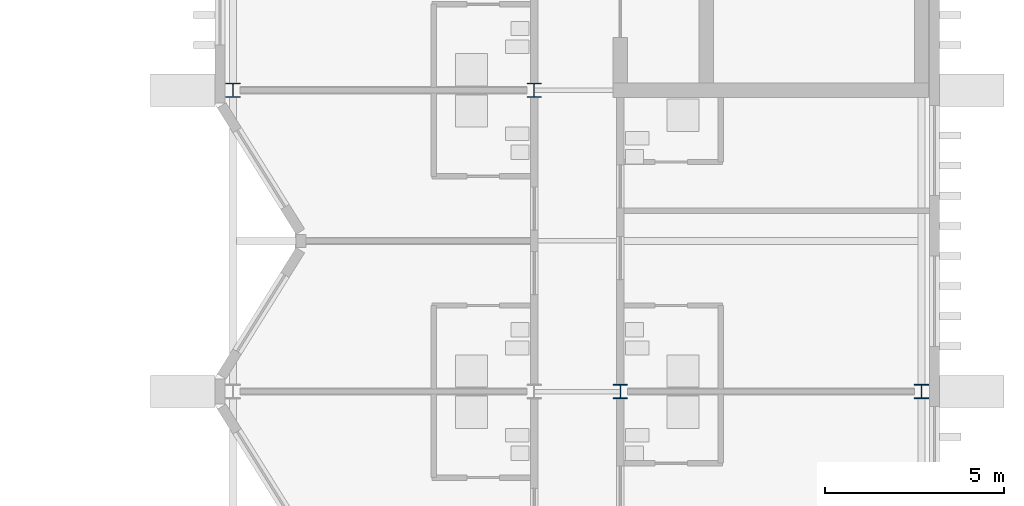
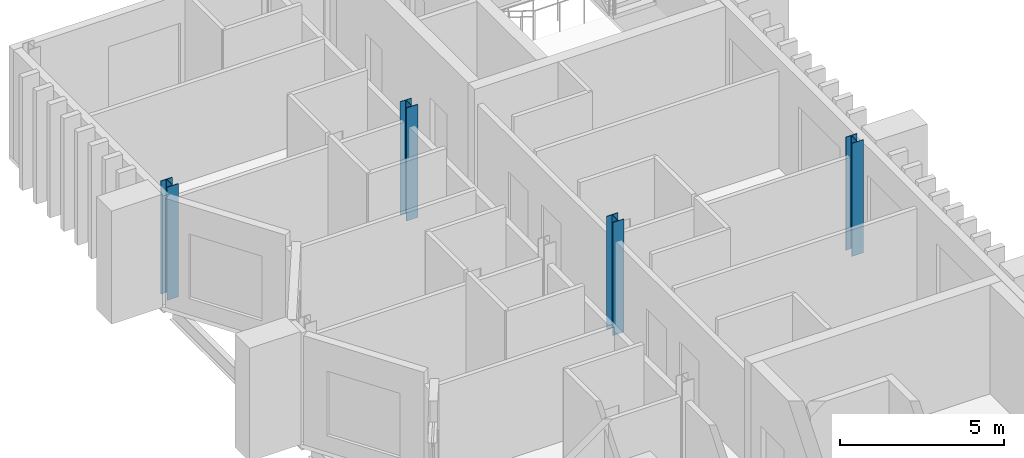
# One storey, part 4 of 17: 4 columns.
"""IFC4 building model written with IfcOpenShell, lengths in metres."""

from ifc_helpers import new_model, si_unit, direction, frame, origin, origin_2d, place, context, subcontext, project, spatial, i_section, extrude, material, material_profile, profile_set, type_object, element, save


model = new_model("IFC4")

# Units and contexts
model_context = context("Model", 3, precision=1e-05, world=origin(), true_north=direction((0.0, 1.0)))
body_context = subcontext(model_context, "Body", "Model", "MODEL_VIEW")
ifc_project = project(units=[si_unit("LENGTHUNIT", "METRE"), si_unit("AREAUNIT", "SQUARE_METRE"), si_unit("VOLUMEUNIT", "CUBIC_METRE"), si_unit("PLANEANGLEUNIT", "RADIAN"), si_unit("MASSUNIT", "GRAM", prefix="KILO")], contexts=[model_context])

# Site, building, storey
site_placement = place(None, origin())
site = spatial("IfcSite", under=ifc_project, at=site_placement, CompositionType="ELEMENT")
building_placement = place(site_placement, origin())
building = spatial("IfcBuilding", under=site, at=building_placement, Name="Cresset Court Congress Hotel", CompositionType="ELEMENT")
storey_placement = place(building_placement, frame((0.0, 0.0, 31.199951171875)))
storey = spatial("IfcBuildingStorey", under=building, at=storey_placement, Name="L07", CompositionType="ELEMENT", Elevation=31.199951171875)

# Columns
ifc_material = material(Name="Structural steel Q355B", Category="steel")
ifc_material_profile = material_profile(ifc_material, i_section(OverallWidth=0.39990234375, OverallDepth=0.39990234375, WebThickness=0.012939453125, FlangeThickness=0.02099609375, FilletRadius=0.02197265625, at=origin_2d()), Name="HW400x400x13x21")
ifc_profile_set = profile_set([ifc_material_profile], Name="Structural steel Q355B")
column_type = type_object("IfcColumnType", Name="Steel column HW400x400x13x21", PredefinedType="COLUMN", material=ifc_profile_set)
for number, where, z_axis, x_axis, name in (
    (1, (157.199951171875, 58.800048828125, 0.0), (0.0, 0.0, 1.0), (1.0, 0.0, 0.0), "Column L07 8-20"),
    (2, (165.60009765625, 58.800048828125, 0.0), (0.0, 0.0, 1.0), (1.0, 0.0, 0.0), "Column L07 8-21"),
    (3, (168.0, 50.39990234375, 0.0), (0.0, 0.0, 1.0), (1.0, 0.0, 0.0), "Column L07 7-22"),
    (4, (176.39990234375, 50.39990234375, 0.0), (0.0, 0.0, 1.0), (1.0, 0.0, 0.0), "Column L07 7-23"),
):
    element("IfcColumn", number, at=place(storey_placement, frame(where, z_axis=z_axis, x_axis=x_axis)), inside=storey, type_object=column_type, Name=name, PredefinedType="COLUMN", context=body_context, shape_type="SweptSolid", body=[
        extrude(i_section(OverallWidth=0.39990234375, OverallDepth=0.39990234375, WebThickness=0.012939453125, FlangeThickness=0.02099609375, FilletRadius=0.02197265625, at=origin_2d()), origin(), (0.0, 0.0, 1.0), 4.199951171875),
    ])

save(model, "model.ifc")
